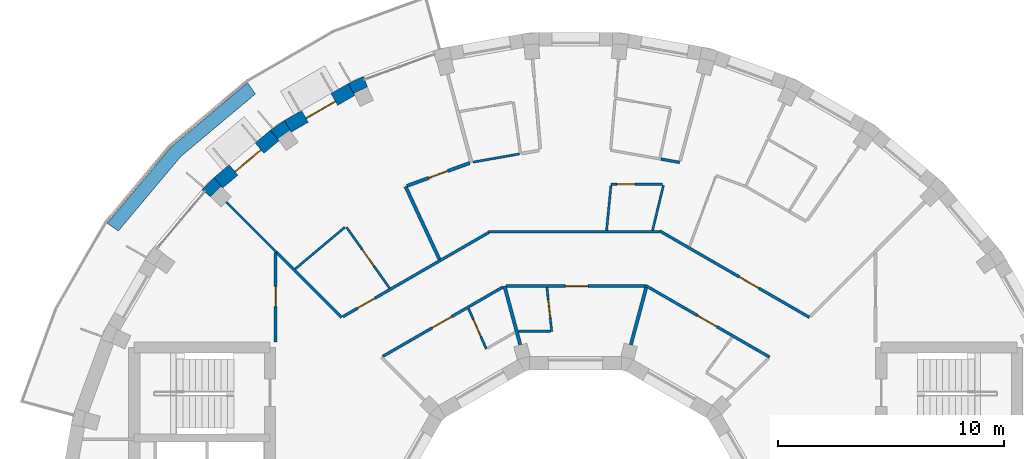
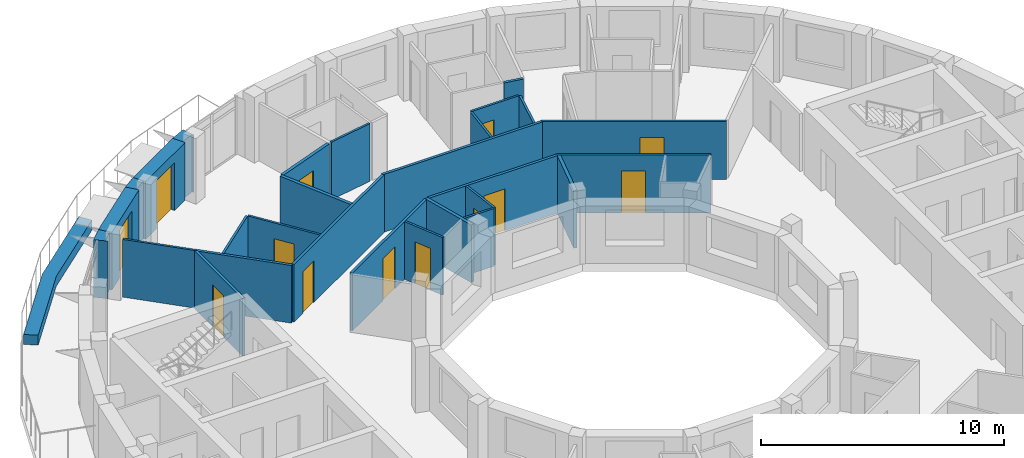
# One storey, part 9 of 12: 29 walls, 13 doors, 13 openings.
"""IFC4 building model written with IfcOpenShell, lengths in metres."""

import ifcopenshell
import ifcopenshell.guid

model = None  # the IFC model being written
_history = None  # IfcOwnerHistory: only IFC2X3 demands one
_inside = {}  # id of a spatial element -> (the spatial element, [elements in it])
_under = {}  # id of a project, library or spatial element -> (it, [spatial elements below it])
_declared = {}  # id of a project -> (the project, [libraries it declares])
_typed = {}  # id of a type object -> (the type object, [elements of that type])
_made_of = {}  # id of a material, layer set ... -> (it, [elements and type objects made of it])


def new_model(schema):
    """Start an empty IFC model of exactly this schema.

    Asked for "IFC4X3", IfcOpenShell would pick the latest addendum, in which some entities
    have other attributes; the version numbers below select the first issue.
    IFC2X3 requires an IfcOwnerHistory on every rooted entity: one is made here for all.
    """
    global model, _history
    if schema == "IFC4X3":
        model = ifcopenshell.file(schema_version=(4, 3, 0, 0))
    else:
        model = ifcopenshell.file(schema=schema)
    _inside.clear()
    _under.clear()
    _declared.clear()
    _typed.clear()
    _made_of.clear()
    _history = None
    if model.schema == "IFC2X3":
        org = make("IfcOrganization", Name="unknown")
        user = make(
            "IfcPersonAndOrganization",
            ThePerson=make("IfcPerson", FamilyName="unknown"),
            TheOrganization=org,
        )
        app = make(
            "IfcApplication",
            ApplicationDeveloper=org,
            Version="unknown",
            ApplicationFullName="unknown",
            ApplicationIdentifier="unknown",
        )
        _history = make(
            "IfcOwnerHistory",
            OwningUser=user,
            OwningApplication=app,
            ChangeAction="ADDED",
            CreationDate=0,
        )
    return model


def make(cls, **values):
    """One entity of the class cls with the attributes given. An attribute that is None is left unset."""
    return model.create_entity(
        cls, **{name: value for name, value in values.items() if value is not None}
    )


def rooted(cls, **values):
    """An entity with a GlobalId (a new one), such as an element, a storey or a relation."""
    return make(cls, GlobalId=ifcopenshell.guid.new(), OwnerHistory=_history, **values)


def si_unit(unit_type, name, prefix=None):
    """IfcSIUnit, for example si_unit("LENGTHUNIT", "METRE", prefix="MILLI")."""
    return make("IfcSIUnit", UnitType=unit_type, Prefix=prefix, Name=name)


def assignment(units):
    """IfcUnitAssignment: the units of a project."""
    return None if units is None else make("IfcUnitAssignment", Units=units)


def point(xyz):
    """IfcCartesianPoint."""
    return None if xyz is None else make("IfcCartesianPoint", Coordinates=xyz)


def direction(xyz):
    """IfcDirection."""
    return None if xyz is None else make("IfcDirection", DirectionRatios=xyz)


def frame(location, z_axis=None, x_axis=None):
    """IfcAxis2Placement3D, a coordinate frame: its origin and axes. An axis left out is left unset."""
    return make(
        "IfcAxis2Placement3D",
        Location=point(location),
        Axis=direction(z_axis),
        RefDirection=direction(x_axis),
    )


def frame_2d(location, x_axis=None):
    """IfcAxis2Placement2D, a coordinate frame in the plane: its origin and x axis."""
    return make(
        "IfcAxis2Placement2D", Location=point(location), RefDirection=direction(x_axis)
    )


def origin():
    """The frame at (0, 0, 0) with its axes left unset."""
    return frame((0.0, 0.0, 0.0))


def place(relative_to, where):
    """IfcLocalPlacement: puts the frame where relative to a parent placement (None: the world)."""
    return make(
        "IfcLocalPlacement", PlacementRelTo=relative_to, RelativePlacement=where
    )


def context(
    kind, dimensions, precision=None, world=None, true_north=None, identifier=None
):
    """IfcGeometricRepresentationContext, for example the 3D "Model" context."""
    return make(
        "IfcGeometricRepresentationContext",
        ContextIdentifier=identifier,
        ContextType=kind,
        CoordinateSpaceDimension=dimensions,
        Precision=precision,
        WorldCoordinateSystem=world,
        TrueNorth=true_north,
    )


def subcontext(parent, identifier, kind, view, scale=None):
    """IfcGeometricRepresentationSubContext, for example "Body" below "Model"."""
    return make(
        "IfcGeometricRepresentationSubContext",
        ContextIdentifier=identifier,
        ContextType=kind,
        ParentContext=parent,
        TargetScale=scale,
        TargetView=view,
    )


def project(units=None, contexts=None):
    """IfcProject with its units and contexts."""
    return rooted(
        "IfcProject",
        Name="project",
        RepresentationContexts=contexts,
        UnitsInContext=assignment(units),
    )


def spatial(cls, under=None, at=None, **own):
    """A site, building, storey or space (cls), placed at a placement, below another one or the project."""
    s = rooted(cls, ObjectPlacement=at, **own)
    if under is not None:
        _under.setdefault(under.id(), (under, []))[1].append(s)
    return s


def polyline(points):
    """IfcPolyline through the points."""
    return make("IfcPolyline", Points=[point(p) for p in points])


def profile(cls, at=None, kind="AREA", **sizes):
    """A parametric profile (cls). Its sizes go by their IFC names, for example OverallWidth=200.0."""
    return make(cls, ProfileType=kind, Position=at, **sizes)


def rectangle(**sizes):
    """IfcRectangleProfileDef."""
    return profile("IfcRectangleProfileDef", **sizes)


def outline(outer, holes=None, kind="AREA"):
    """IfcArbitraryClosedProfileDef: a profile drawn as a closed curve; with holes, ...WithVoids."""
    if holes is None:
        return make("IfcArbitraryClosedProfileDef", ProfileType=kind, OuterCurve=outer)
    return make(
        "IfcArbitraryProfileDefWithVoids",
        ProfileType=kind,
        OuterCurve=outer,
        InnerCurves=holes,
    )


def extrude(swept, where, along, depth):
    """IfcExtrudedAreaSolid: the profile swept, set in the frame where, extruded along a direction by depth."""
    return make(
        "IfcExtrudedAreaSolid",
        SweptArea=swept,
        Position=where,
        ExtrudedDirection=direction(along),
        Depth=depth,
    )


def shape(context_of_items, identifier, shape_type, items):
    """IfcShapeRepresentation: the items that make up one representation, for example the "Body"."""
    return make(
        "IfcShapeRepresentation",
        ContextOfItems=context_of_items,
        RepresentationIdentifier=identifier,
        RepresentationType=shape_type,
        Items=items,
    )


def material(Name=None, Category=None):
    """IfcMaterial."""
    return make("IfcMaterial", Name=Name, Category=Category)


def layer(
    of_material, thickness, ventilated=None, Name=None, Category=None, Priority=None
):
    """IfcMaterialLayer: one layer of a wall or slab, of a material (None: an air gap)."""
    return make(
        "IfcMaterialLayer",
        Material=of_material,
        LayerThickness=thickness,
        IsVentilated=ventilated,
        Name=Name,
        Category=Category,
        Priority=Priority,
    )


def layer_set(layers, Name=None):
    """IfcMaterialLayerSet."""
    return make("IfcMaterialLayerSet", MaterialLayers=layers, LayerSetName=Name)


def made_of(thing, what):
    """Note that an element or type object is made of a material, layer set ...; save() writes the relation."""
    if what is not None:
        _made_of.setdefault(what.id(), (what, []))[1].append(thing)
    return thing


def type_object(cls, material=None, **own):
    """A type object (cls), such as IfcWallType, which elements share."""
    return made_of(rooted(cls, **own), material)


def element(
    cls,
    number,
    at=None,
    inside=None,
    cuts=None,
    type_object=None,
    material=None,
    context=None,
    identifier="Body",
    shape_type=None,
    held_by="IfcProductDefinitionShape",
    body=None,
    shapes=None,
    **own,
):
    """One element of the class cls, such as IfcWall. Its Tag is "e" and its number.

    at: its placement. inside: the storey or other place that contains it. cuts: it is an
    opening in that element (IfcRelVoidsElement). A single representation is given by context,
    identifier, shape_type and body (its items); several are given by shapes. held_by: the class
    of the entity that holds the representations. save() writes the other relations.
    """
    e = rooted(cls, Tag="e%d" % number, ObjectPlacement=at, **own)
    if body is not None:
        shapes = [shape(context, identifier, shape_type, body)]
    if shapes is not None:
        e.Representation = make(held_by, Representations=shapes)
    if inside is not None:
        _inside.setdefault(inside.id(), (inside, []))[1].append(e)
    if cuts is not None:
        rooted(
            "IfcRelVoidsElement", RelatingBuildingElement=cuts, RelatedOpeningElement=e
        )
    if type_object is not None:
        _typed.setdefault(type_object.id(), (type_object, []))[1].append(e)
    return made_of(e, material)


def fill(opening, filler):
    """IfcRelFillsElement: the door or window that sits in an opening."""
    return rooted(
        "IfcRelFillsElement",
        RelatingOpeningElement=opening,
        RelatedBuildingElement=filler,
    )


def aggregate(whole, parts):
    """IfcRelAggregates: a whole, such as a stair, and the parts it consists of."""
    return rooted("IfcRelAggregates", RelatingObject=whole, RelatedObjects=parts)


def save(model, path):
    """Write the relations noted so far, then the file.

    IfcRelAggregates (storeys below a building ...), IfcRelContainedInSpatialStructure (elements
    in a storey), IfcRelDefinesByType, IfcRelAssociatesMaterial and IfcRelDeclares: one each for
    every whole, place, type object, material and project.
    """
    for whole, parts in _under.values():
        aggregate(whole, parts)
    for where, things in _inside.values():
        rooted(
            "IfcRelContainedInSpatialStructure",
            RelatedElements=things,
            RelatingStructure=where,
        )
    for kind, things in _typed.values():
        rooted("IfcRelDefinesByType", RelatedObjects=things, RelatingType=kind)
    for what, things in _made_of.values():
        rooted("IfcRelAssociatesMaterial", RelatedObjects=things, RelatingMaterial=what)
    for by, libraries in _declared.values():
        rooted("IfcRelDeclares", RelatingContext=by, RelatedDefinitions=libraries)
    model.write(path)


model = new_model("IFC4")

# Units and contexts
model_context = context("Model", 3, precision=1e-05, world=origin(), true_north=direction((0.0, 1.0)))
body_context = subcontext(model_context, "Body", "Model", "MODEL_VIEW")
ifc_project = project(units=[si_unit("LENGTHUNIT", "METRE"), si_unit("AREAUNIT", "SQUARE_METRE"), si_unit("VOLUMEUNIT", "CUBIC_METRE"), si_unit("PLANEANGLEUNIT", "RADIAN"), si_unit("MASSUNIT", "GRAM", prefix="KILO")], contexts=[model_context])

# Site, building, storey
site_placement = place(None, origin())
site = spatial("IfcSite", under=ifc_project, at=site_placement, CompositionType="ELEMENT")
building_placement = place(site_placement, origin())
building = spatial("IfcBuilding", under=site, at=building_placement, Name="Saqina Gate Tower", CompositionType="ELEMENT")
storey_placement = place(building_placement, frame((0.0, 0.0, 233.0)))
storey = spatial("IfcBuildingStorey", under=building, at=storey_placement, Name="L66", CompositionType="ELEMENT", Elevation=233.0)

# Walls
ifc_material_1 = material(Name="Brick masonry (buff)", Category="masonry")
wall_type_1 = type_object("IfcWallType", Name="BRICK PIER COPING BUFF", PredefinedType="SOLIDWALL", material=ifc_material_1)
wall_1_placement = place(storey_placement, origin())
element("IfcWall", 1, at=wall_1_placement, inside=storey, type_object=wall_type_1, Name="Pier cap L66 column 12", PredefinedType="SOLIDWALL", context=body_context, shape_type="SweptSolid", body=[
    extrude(outline(polyline([(-9.3642578125, 20.974609375), (-10.048095703125, 20.65576171875), (-9.748291015625, 20.135986328125), (-9.79296875, 20.23193359375), (-9.203857421875, 20.506591796875), (-9.1591796875, 20.410888671875), (-9.3642578125, 20.974609375)])), origin(), (0.0, 0.0, 1.0), 2.89990234375),
])
wall_2_placement = place(storey_placement, origin())
element("IfcWall", 2, at=wall_2_placement, inside=storey, type_object=wall_type_1, Name="Pier cap L66 column 13", PredefinedType="SOLIDWALL", context=body_context, shape_type="SweptSolid", body=[
    extrude(outline(polyline([(-12.8642578125, 19.02978515625), (-13.482421875, 18.59716796875), (-13.0966796875, 18.137451171875), (-13.157470703125, 18.22412109375), (-12.625, 18.596923828125), (-12.564208984375, 18.51025390625), (-12.8642578125, 19.02978515625)])), origin(), (0.0, 0.0, 1.0), 2.89990234375),
])
wall_3_placement = place(storey_placement, origin())
element("IfcWall", 3, at=wall_3_placement, inside=storey, type_object=wall_type_1, Name="Pier cap L66 column 14", PredefinedType="SOLIDWALL", context=body_context, shape_type="SweptSolid", body=[
    extrude(outline(polyline([(-16.5068359375, 15.973388671875), (-16.04736328125, 15.587646484375), (-16.1220703125, 15.662353515625), (-15.662353515625, 16.1220703125), (-15.587646484375, 16.04736328125), (-15.973388671875, 16.5068359375), (-16.5068359375, 15.973388671875)])), origin(), (0.0, 0.0, 1.0), 2.89990234375),
])

# Wall, opening, door
ifc_material_2 = material(Name="Brick masonry (buff)", Category="masonry")
ifc_layer_1 = layer(ifc_material_2, 0.60009765625)
ifc_layer_set_1 = layer_set([ifc_layer_1], Name="FW-BRICK-BUFF")
wall_type_2 = type_object("IfcWallType", Name="FW-BRICK-BUFF", PredefinedType="SOLIDWALL", material=ifc_layer_set_1)
wall_4_placement = place(storey_placement, frame((-9.898193359375, 20.39599609375, 0.0), z_axis=(0.0, 0.0, 1.0), x_axis=(-0.866016800201, -0.500014901547, 0.0)))
wall_4 = element("IfcWall", 4, at=wall_4_placement, inside=storey, type_object=wall_type_2, Name="Facade wall L66 facet 12", PredefinedType="SOLIDWALL", context=body_context, shape_type="SweptSolid", body=[
    extrude(rectangle(XDim=3.251953125, YDim=0.60009765625, at=frame_2d((1.6259765625, 0.0))), origin(), (0.0, 0.0, 1.0), 2.89990234375),
])
opening_1_placement = place(wall_4_placement, frame((0.875732421875, 0.0, 0.0)))
opening_1 = element("IfcOpeningElement", 5, at=opening_1_placement, cuts=wall_4, Name="Opening G19-D80", PredefinedType="OPENING", context=body_context, shape_type="SweptSolid", body=[
    extrude(rectangle(XDim=1.5, YDim=2.39990234375, at=frame_2d((0.75, 1.199951171875))), frame((0.0, 0.31201171875, 0.0), z_axis=(0.0, -1.0, 0.0), x_axis=(1.0, 0.0, 0.0)), (0.0, 0.0, 1.0), 0.6240234375),
])
ifc_material_3 = material(Name="Aluminium glazing", Category="aluminium")
door_type_1 = type_object("IfcDoorType", Name="GD-D", OperationType="DOUBLE_DOOR_SINGLE_SWING", PredefinedType="DOOR", material=ifc_material_3)
door_1_placement = place(opening_1_placement, origin())
door_1 = element("IfcDoor", 6, at=door_1_placement, inside=storey, type_object=door_type_1, Name="Terrace door L66 facet 12", OperationType="DOUBLE_DOOR_SINGLE_SWING", OverallHeight=2.39990234375, OverallWidth=1.5, PredefinedType="DOOR", context=body_context, shape_type="SweptSolid", body=[
    extrude(rectangle(XDim=1.5, YDim=2.39990234375, at=frame_2d((0.75, 1.199951171875))), frame((0.0, 0.125, 0.0), z_axis=(0.0, -1.0, 0.0), x_axis=(1.0, 0.0, 0.0)), (0.0, 0.0, 1.0), 0.050048828125),
])
fill(opening_1, door_1)

wall_5_placement = place(storey_placement, frame((-13.28955078125, 18.3671875, 0.0), z_axis=(0.0, 0.0, 1.0), x_axis=(-0.766056773982, -0.64277291405, 0.0)))
wall_5 = element("IfcWall", 7, at=wall_5_placement, inside=storey, type_object=wall_type_2, Name="Facade wall L66 facet 13", PredefinedType="SOLIDWALL", context=body_context, shape_type="SweptSolid", body=[
    extrude(rectangle(XDim=3.251708984375, YDim=0.60009765625, at=frame_2d((1.6259765625, 0.0))), origin(), (0.0, 0.0, 1.0), 2.89990234375),
])
opening_2_placement = place(wall_5_placement, frame((0.875732421875, 0.0, 0.0)))
opening_2 = element("IfcOpeningElement", 8, at=opening_2_placement, cuts=wall_5, Name="Opening G19-D81", PredefinedType="OPENING", context=body_context, shape_type="SweptSolid", body=[
    extrude(rectangle(XDim=1.5, YDim=2.39990234375, at=frame_2d((0.75, 1.199951171875))), frame((0.0, 0.31201171875, 0.0), z_axis=(0.0, -1.0, 0.0), x_axis=(1.0, 0.0, 0.0)), (0.0, 0.0, 1.0), 0.6240234375),
])
door_2_placement = place(opening_2_placement, origin())
door_2 = element("IfcDoor", 9, at=door_2_placement, inside=storey, type_object=door_type_1, Name="Terrace door L66 facet 13", OperationType="DOUBLE_DOOR_SINGLE_SWING", OverallHeight=2.39990234375, OverallWidth=1.5, PredefinedType="DOOR", context=body_context, shape_type="SweptSolid", body=[
    extrude(rectangle(XDim=1.5, YDim=2.39990234375, at=frame_2d((0.75, 1.199951171875))), frame((0.0, 0.125, 0.0), z_axis=(0.0, -1.0, 0.0), x_axis=(1.0, 0.0, 0.0)), (0.0, 0.0, 1.0), 0.050048828125),
])
fill(opening_2, door_2)

ifc_material_4 = material(Name="Gypsum board on steel studs, 100 mm", Category="steel")
ifc_layer_2 = layer(ifc_material_4, 0.10009765625)
ifc_layer_set_2 = layer_set([ifc_layer_2], Name="PARTITION 100")
wall_type_3 = type_object("IfcWallType", Name="PARTITION 100", PredefinedType="PARTITIONING", material=ifc_layer_set_2)
wall_6_placement = place(storey_placement, frame((-1.26416015625, 11.64794921875, 0.0), z_axis=(0.0, 0.0, 1.0), x_axis=(0.107833146159, -0.99416900605, 0.0)))
wall_6 = element("IfcWall", 10, at=wall_6_placement, inside=storey, type_object=wall_type_3, Name="PARTITION PW3-01", PredefinedType="PARTITIONING", context=body_context, shape_type="SweptSolid", body=[
    extrude(rectangle(XDim=1.949462890625, YDim=0.10009765625, at=frame_2d((0.974609375, 0.0))), origin(), (0.0, 0.0, 1.0), 2.89990234375),
])
opening_3_placement = place(wall_6_placement, frame((0.54345703125, 0.0, 0.0)))
opening_3 = element("IfcOpeningElement", 11, at=opening_3_placement, cuts=wall_6, Name="Opening G19-D14", PredefinedType="OPENING", context=body_context, shape_type="SweptSolid", body=[
    extrude(rectangle(XDim=0.800048828125, YDim=2.10009765625, at=frame_2d((0.39990234375, 1.050048828125))), frame((0.0, 0.06201171875, 0.0), z_axis=(0.0, -1.0, 0.0), x_axis=(1.0, 0.0, 0.0)), (0.0, 0.0, 1.0), 0.1240234375),
])
ifc_material_5 = material(Name="Timber door leaf, 800 mm", Category="wood")
door_type_2 = type_object("IfcDoorType", Name="DOOR 800 TIMBER", OperationType="SINGLE_SWING_LEFT", PredefinedType="DOOR", material=ifc_material_5)
door_3_placement = place(opening_3_placement, origin())
door_3 = element("IfcDoor", 12, at=door_3_placement, inside=storey, type_object=door_type_2, Name="DOOR G19-D14", OperationType="SINGLE_SWING_LEFT", OverallHeight=2.10009765625, OverallWidth=0.800048828125, PredefinedType="DOOR", context=body_context, shape_type="SweptSolid", body=[
    extrude(rectangle(XDim=0.800048828125, YDim=2.10009765625, at=frame_2d((0.39990234375, 1.050048828125))), frame((0.0, 0.02490234375, 0.0), z_axis=(0.0, -1.0, 0.0), x_axis=(1.0, 0.0, 0.0)), (0.0, 0.0, 1.0), 0.050048828125),
])
fill(opening_3, door_3)

wall_7_placement = place(storey_placement, frame((-4.729736328125, 10.71875, 0.0), z_axis=(0.0, 0.0, 1.0), x_axis=(0.403695730551, -0.914893303689, 0.0)))
wall_7 = element("IfcWall", 13, at=wall_7_placement, inside=storey, type_object=wall_type_3, Name="PARTITION PW3-05", PredefinedType="PARTITIONING", context=body_context, shape_type="SweptSolid", body=[
    extrude(rectangle(XDim=1.948486328125, YDim=0.10009765625, at=frame_2d((0.97412109375, 0.0))), origin(), (0.0, 0.0, 1.0), 2.89990234375),
])
opening_4_placement = place(wall_7_placement, frame((0.543212890625, 0.0, 0.0)))
opening_4 = element("IfcOpeningElement", 14, at=opening_4_placement, cuts=wall_7, Name="Opening G19-D17", PredefinedType="OPENING", context=body_context, shape_type="SweptSolid", body=[
    extrude(rectangle(XDim=0.800048828125, YDim=2.10009765625, at=frame_2d((0.39990234375, 1.050048828125))), frame((0.0, 0.06201171875, 0.0), z_axis=(0.0, -1.0, 0.0), x_axis=(1.0, 0.0, 0.0)), (0.0, 0.0, 1.0), 0.1240234375),
])
door_4_placement = place(opening_4_placement, frame((0.800048828125, 0.0, 0.0), z_axis=(0.0, 0.0, 1.0), x_axis=(-1.0, 0.0, 0.0)))
door_4 = element("IfcDoor", 15, at=door_4_placement, inside=storey, type_object=door_type_2, Name="DOOR G19-D17", OperationType="SINGLE_SWING_RIGHT", OverallHeight=2.10009765625, OverallWidth=0.800048828125, PredefinedType="DOOR", context=body_context, shape_type="SweptSolid", body=[
    extrude(rectangle(XDim=0.800048828125, YDim=2.10009765625, at=frame_2d((0.39990234375, 1.050048828125))), frame((0.0, 0.02490234375, 0.0), z_axis=(0.0, -1.0, 0.0), x_axis=(1.0, 0.0, 0.0)), (0.0, 0.0, 1.0), 0.050048828125),
])
fill(opening_4, door_4)

wall_8_placement = place(storey_placement, frame((-10.11572265625, 14.30517578125, 0.0), z_axis=(0.0, 0.0, 1.0), x_axis=(0.577184589489, -0.816613708957, 0.0)))
wall_8 = element("IfcWall", 16, at=wall_8_placement, inside=storey, type_object=wall_type_3, Name="PARTITION PW3-10", PredefinedType="PARTITIONING", context=body_context, shape_type="SweptSolid", body=[
    extrude(rectangle(XDim=3.287353515625, YDim=0.10009765625, at=frame_2d((1.6435546875, 0.0))), origin(), (0.0, 0.0, 1.0), 2.89990234375),
])
opening_5_placement = place(wall_8_placement, frame((1.199951171875, 0.0, 0.0)))
opening_5 = element("IfcOpeningElement", 17, at=opening_5_placement, cuts=wall_8, Name="Opening G19-D19", PredefinedType="OPENING", context=body_context, shape_type="SweptSolid", body=[
    extrude(rectangle(XDim=0.89990234375, YDim=2.10009765625, at=frame_2d((0.449951171875, 1.050048828125))), frame((0.0, 0.06201171875, 0.0), z_axis=(0.0, -1.0, 0.0), x_axis=(1.0, 0.0, 0.0)), (0.0, 0.0, 1.0), 0.1240234375),
])
ifc_material_6 = material(Name="Timber door leaf, 900 mm", Category="wood")
door_type_3 = type_object("IfcDoorType", Name="DOOR 900 TIMBER", OperationType="SINGLE_SWING_LEFT", PredefinedType="DOOR", material=ifc_material_6)
door_5_placement = place(opening_5_placement, origin())
door_5 = element("IfcDoor", 18, at=door_5_placement, inside=storey, type_object=door_type_3, Name="DOOR G19-D19", OperationType="SINGLE_SWING_RIGHT", OverallHeight=2.10009765625, OverallWidth=0.89990234375, PredefinedType="DOOR", context=body_context, shape_type="SweptSolid", body=[
    extrude(rectangle(XDim=0.89990234375, YDim=2.10009765625, at=frame_2d((0.449951171875, 1.050048828125))), frame((0.0, 0.02490234375, 0.0), z_axis=(0.0, -1.0, 0.0), x_axis=(1.0, 0.0, 0.0)), (0.0, 0.0, 1.0), 0.050048828125),
])
fill(opening_5, door_5)

# Walls
wall_9_placement = place(storey_placement, frame((-15.425537109375, 15.425537109375, 0.0), z_axis=(0.0, 0.0, 1.0), x_axis=(0.707106781187, -0.707106781187, 0.0)))
element("IfcWall", 19, at=wall_9_placement, inside=storey, type_object=wall_type_3, Name="PARTITION PW3-12", PredefinedType="PARTITIONING", context=body_context, shape_type="SweptSolid", body=[
    extrude(rectangle(XDim=3.126708984375, YDim=0.10009765625, at=frame_2d((1.5634765625, 0.0))), origin(), (0.0, 0.0, 1.0), 2.89990234375),
])
wall_10_placement = place(storey_placement, frame((-2.527099609375, 9.7099609375, 0.0), z_axis=(0.0, 0.0, 1.0), x_axis=(1.0, 0.0, 0.0)))
element("IfcWall", 20, at=wall_10_placement, inside=storey, type_object=wall_type_3, Name="PARTITION PW3-27", PredefinedType="PARTITIONING", context=body_context, shape_type="SweptSolid", body=[
    extrude(rectangle(XDim=1.423095703125, YDim=0.10009765625, at=frame_2d((0.71142578125, 0.0))), origin(), (0.0, 0.0, 1.0), 2.89990234375),
])

# Wall, opening, door
wall_11_placement = place(storey_placement, frame((1.571044921875, 16.2099609375, 0.0), z_axis=(0.0, 0.0, 1.0), x_axis=(1.0, 0.0, 0.0)))
wall_11 = element("IfcWall", 21, at=wall_11_placement, inside=storey, type_object=wall_type_3, Name="PARTITION PW3-28", PredefinedType="PARTITIONING", context=body_context, shape_type="SweptSolid", body=[
    extrude(rectangle(XDim=2.26806640625, YDim=0.10009765625, at=frame_2d((1.134033203125, 0.0))), origin(), (0.0, 0.0, 1.0), 2.89990234375),
])
opening_6_placement = place(wall_11_placement, frame((0.259033203125, 0.0, 0.0)))
opening_6 = element("IfcOpeningElement", 22, at=opening_6_placement, cuts=wall_11, Name="Opening G19-D10", PredefinedType="OPENING", context=body_context, shape_type="SweptSolid", body=[
    extrude(rectangle(XDim=0.800048828125, YDim=2.10009765625, at=frame_2d((0.39990234375, 1.050048828125))), frame((0.0, 0.06201171875, 0.0), z_axis=(0.0, -1.0, 0.0), x_axis=(1.0, 0.0, 0.0)), (0.0, 0.0, 1.0), 0.1240234375),
])
door_6_placement = place(opening_6_placement, origin())
door_6 = element("IfcDoor", 23, at=door_6_placement, inside=storey, type_object=door_type_2, Name="DOOR G19-D10", OperationType="SINGLE_SWING_LEFT", OverallHeight=2.10009765625, OverallWidth=0.800048828125, PredefinedType="DOOR", context=body_context, shape_type="SweptSolid", body=[
    extrude(rectangle(XDim=0.800048828125, YDim=2.10009765625, at=frame_2d((0.39990234375, 1.050048828125))), frame((0.0, 0.02490234375, 0.0), z_axis=(0.0, -1.0, 0.0), x_axis=(1.0, 0.0, 0.0)), (0.0, 0.0, 1.0), 0.050048828125),
])
fill(opening_6, door_6)

# Walls
wall_12_placement = place(storey_placement, frame((-4.528076171875, 17.18701171875, 0.0), z_axis=(0.0, 0.0, 1.0), x_axis=(0.984788286148, 0.173758543574, 0.0)))
element("IfcWall", 24, at=wall_12_placement, inside=storey, type_object=wall_type_3, Name="PARTITION PW3-29", PredefinedType="PARTITIONING", context=body_context, shape_type="SweptSolid", body=[
    extrude(rectangle(XDim=2.07958984375, YDim=0.10009765625, at=frame_2d((1.039794921875, 0.0))), origin(), (0.0, 0.0, 1.0), 2.89990234375),
])
wall_13_placement = place(storey_placement, frame((-12.382080078125, 12.47021484375, 0.0), z_axis=(0.0, 0.0, 1.0), x_axis=(0.765817138438, 0.643058403627, 0.0)))
element("IfcWall", 25, at=wall_13_placement, inside=storey, type_object=wall_type_3, Name="PARTITION PW3-38", PredefinedType="PARTITIONING", context=body_context, shape_type="SweptSolid", body=[
    extrude(rectangle(XDim=2.869873046875, YDim=0.10009765625, at=frame_2d((1.43505859375, 0.0))), origin(), (0.0, 0.0, 1.0), 2.89990234375),
])
wall_14_placement = place(storey_placement, frame((3.402587890625, 14.170654296875, 0.0), z_axis=(0.0, 0.0, 1.0), x_axis=(0.233377462785, 0.972386219495, 0.0)))
element("IfcWall", 26, at=wall_14_placement, inside=storey, type_object=wall_type_3, Name="PARTITION PW3-49", PredefinedType="PARTITIONING", context=body_context, shape_type="SweptSolid", body=[
    extrude(rectangle(XDim=2.04736328125, YDim=0.10009765625, at=frame_2d((1.023681640625, 0.0))), origin(), (0.0, 0.0, 1.0), 2.89990234375),
])
wall_15_placement = place(storey_placement, frame((1.3720703125, 14.172119140625, 0.0), z_axis=(0.0, 0.0, 1.0), x_axis=(0.096199186447, 0.99536210322, 0.0)))
element("IfcWall", 27, at=wall_15_placement, inside=storey, type_object=wall_type_3, Name="PARTITION PW3-54", PredefinedType="PARTITIONING", context=body_context, shape_type="SweptSolid", body=[
    extrude(rectangle(XDim=1.997314453125, YDim=0.10009765625, at=frame_2d((0.99853515625, 0.0))), origin(), (0.0, 0.0, 1.0), 2.89990234375),
])
ifc_material_7 = material(Name="Gypsum board on steel studs, 125 mm, fire rated", Category="steel")
ifc_layer_3 = layer(ifc_material_7, 0.125)
ifc_layer_set_3 = layer_set([ifc_layer_3], Name="PARTITION EI 30 125")
wall_type_4 = type_object("IfcWallType", Name="PARTITION EI 30 125", PredefinedType="PARTITIONING", material=ifc_layer_set_3)
wall_16_placement = place(storey_placement, frame((-13.214599609375, 13.214599609375, 0.0), z_axis=(0.0, 0.0, 1.0), x_axis=(0.707106781187, -0.707106781187, 0.0)))
element("IfcWall", 28, at=wall_16_placement, inside=storey, type_object=wall_type_4, Name="PARTITION PW1-04", PredefinedType="PARTITIONING", context=body_context, shape_type="SweptSolid", body=[
    extrude(rectangle(XDim=4.080810546875, YDim=0.125, at=frame_2d((2.04052734375, 0.0))), origin(), (0.0, 0.0, 1.0), 2.89990234375),
])

# Wall, opening, door
wall_17_placement = place(storey_placement, frame((3.075439453125, 11.74609375, 0.0), z_axis=(0.0, 0.0, 1.0), x_axis=(0.865983161714, -0.500073158277, 0.0)))
wall_17 = element("IfcWall", 29, at=wall_17_placement, inside=storey, type_object=wall_type_4, Name="PARTITION PW1-11", PredefinedType="PARTITIONING", context=body_context, shape_type="SweptSolid", body=[
    extrude(rectangle(XDim=6.34716796875, YDim=0.125, at=frame_2d((3.173583984375, 0.0))), origin(), (0.0, 0.0, 1.0), 2.89990234375),
])
opening_7_placement = place(wall_17_placement, frame((2.65869140625, 0.0, 0.0)))
opening_7 = element("IfcOpeningElement", 30, at=opening_7_placement, cuts=wall_17, Name="Opening G19-D05", PredefinedType="OPENING", context=body_context, shape_type="SweptSolid", body=[
    extrude(rectangle(XDim=1.0, YDim=2.10009765625, at=frame_2d((0.5, 1.050048828125))), frame((0.0, 0.074462890625, 0.0), z_axis=(0.0, -1.0, 0.0), x_axis=(1.0, 0.0, 0.0)), (0.0, 0.0, 1.0), 0.14892578125),
])
ifc_material_8 = material(Name="Fire door leaf EI 30, 1000 mm")
door_type_4 = type_object("IfcDoorType", Name="DOOR 1000 EI 30", OperationType="SINGLE_SWING_LEFT", PredefinedType="DOOR", material=ifc_material_8)
door_7_placement = place(opening_7_placement, frame((1.0, 0.0, 0.0), z_axis=(0.0, 0.0, 1.0), x_axis=(-1.0, 0.0, 0.0)))
door_7 = element("IfcDoor", 31, at=door_7_placement, inside=storey, type_object=door_type_4, Name="DOOR G19-D05", OperationType="SINGLE_SWING_RIGHT", OverallHeight=2.10009765625, OverallWidth=1.0, PredefinedType="DOOR", context=body_context, shape_type="SweptSolid", body=[
    extrude(rectangle(XDim=1.0, YDim=2.10009765625, at=frame_2d((0.5, 1.050048828125))), frame((0.0, 0.02490234375, 0.0), z_axis=(0.0, -1.0, 0.0), x_axis=(1.0, 0.0, 0.0)), (0.0, 0.0, 1.0), 0.050048828125),
])
fill(opening_7, door_7)

wall_18_placement = place(storey_placement, frame((3.717529296875, 14.146728515625, 0.0), z_axis=(0.0, 0.0, 1.0), x_axis=(0.866000791713, -0.500042626935, 0.0)))
wall_18 = element("IfcWall", 32, at=wall_18_placement, inside=storey, type_object=wall_type_4, Name="PARTITION PW1-12", PredefinedType="PARTITIONING", context=body_context, shape_type="SweptSolid", body=[
    extrude(rectangle(XDim=7.634521484375, YDim=0.125, at=frame_2d((3.8173828125, 0.0))), origin(), (0.0, 0.0, 1.0), 2.89990234375),
])
opening_8_placement = place(wall_18_placement, frame((4.064208984375, 0.0, 0.0)))
opening_8 = element("IfcOpeningElement", 33, at=opening_8_placement, cuts=wall_18, Name="Opening G19-D04", PredefinedType="OPENING", context=body_context, shape_type="SweptSolid", body=[
    extrude(rectangle(XDim=1.0, YDim=2.10009765625, at=frame_2d((0.5, 1.050048828125))), frame((0.0, 0.074462890625, 0.0), z_axis=(0.0, -1.0, 0.0), x_axis=(1.0, 0.0, 0.0)), (0.0, 0.0, 1.0), 0.14892578125),
])
door_8_placement = place(opening_8_placement, origin())
door_8 = element("IfcDoor", 34, at=door_8_placement, inside=storey, type_object=door_type_4, Name="DOOR G19-D04", OperationType="SINGLE_SWING_RIGHT", OverallHeight=2.10009765625, OverallWidth=1.0, PredefinedType="DOOR", context=body_context, shape_type="SweptSolid", body=[
    extrude(rectangle(XDim=1.0, YDim=2.10009765625, at=frame_2d((0.5, 1.050048828125))), frame((0.0, 0.02490234375, 0.0), z_axis=(0.0, -1.0, 0.0), x_axis=(1.0, 0.0, 0.0)), (0.0, 0.0, 1.0), 0.050048828125),
])
fill(opening_8, door_8)

# Wall
wall_19_placement = place(storey_placement, frame((3.769287109375, 17.3212890625, 0.0), z_axis=(0.0, 0.0, 1.0), x_axis=(0.984637698915, -0.174609856179, 0.0)))
element("IfcWall", 35, at=wall_19_placement, inside=storey, type_object=wall_type_4, Name="PARTITION PW1-14", PredefinedType="PARTITIONING", context=body_context, shape_type="SweptSolid", body=[
    extrude(rectangle(XDim=0.844482421875, YDim=0.125, at=frame_2d((0.42236328125, 0.0))), origin(), (0.0, 0.0, 1.0), 2.89990234375),
])

# Wall, opening, door
wall_20_placement = place(storey_placement, frame((-3.06298828125, 11.7099609375, 0.0), z_axis=(0.0, 0.0, 1.0), x_axis=(1.0, 0.0, 0.0)))
wall_20 = element("IfcWall", 36, at=wall_20_placement, inside=storey, type_object=wall_type_4, Name="PARTITION PW1-19", PredefinedType="PARTITIONING", context=body_context, shape_type="SweptSolid", body=[
    extrude(rectangle(XDim=6.138427734375, YDim=0.125, at=frame_2d((3.0693359375, 0.0))), origin(), (0.0, 0.0, 1.0), 2.89990234375),
])
opening_9_placement = place(wall_20_placement, frame((2.613525390625, 0.0, 0.0)))
opening_9 = element("IfcOpeningElement", 37, at=opening_9_placement, cuts=wall_20, Name="Opening G19-D12", PredefinedType="OPENING", context=body_context, shape_type="SweptSolid", body=[
    extrude(rectangle(XDim=1.0, YDim=2.10009765625, at=frame_2d((0.5, 1.050048828125))), frame((0.0, 0.074462890625, 0.0), z_axis=(0.0, -1.0, 0.0), x_axis=(1.0, 0.0, 0.0)), (0.0, 0.0, 1.0), 0.14892578125),
])
door_9_placement = place(opening_9_placement, frame((1.0, 0.0, 0.0), z_axis=(0.0, 0.0, 1.0), x_axis=(-1.0, 0.0, 0.0)))
door_9 = element("IfcDoor", 38, at=door_9_placement, inside=storey, type_object=door_type_4, Name="DOOR G19-D12", OperationType="SINGLE_SWING_LEFT", OverallHeight=2.10009765625, OverallWidth=1.0, PredefinedType="DOOR", context=body_context, shape_type="SweptSolid", body=[
    extrude(rectangle(XDim=1.0, YDim=2.10009765625, at=frame_2d((0.5, 1.050048828125))), frame((0.0, 0.02490234375, 0.0), z_axis=(0.0, -1.0, 0.0), x_axis=(1.0, 0.0, 0.0)), (0.0, 0.0, 1.0), 0.050048828125),
])
fill(opening_9, door_9)

# Wall
wall_21_placement = place(storey_placement, frame((-3.853271484375, 14.110107421875, 0.0), z_axis=(0.0, 0.0, 1.0), x_axis=(1.0, 0.0, 0.0)))
element("IfcWall", 39, at=wall_21_placement, inside=storey, type_object=wall_type_4, Name="PARTITION PW1-20", PredefinedType="PARTITIONING", context=body_context, shape_type="SweptSolid", body=[
    extrude(rectangle(XDim=7.57080078125, YDim=0.125, at=frame_2d((3.785400390625, 0.0))), origin(), (0.0, 0.0, 1.0), 2.89990234375),
])

# Wall, opening, door
wall_22_placement = place(storey_placement, frame((-8.517822265625, 8.603271484375, 0.0), z_axis=(0.0, 0.0, 1.0), x_axis=(0.865972267571, 0.50009202333, 0.0)))
wall_22 = element("IfcWall", 40, at=wall_22_placement, inside=storey, type_object=wall_type_4, Name="PARTITION PW1-27", PredefinedType="PARTITIONING", context=body_context, shape_type="SweptSolid", body=[
    extrude(rectangle(XDim=6.137451171875, YDim=0.125, at=frame_2d((3.06884765625, 0.0))), origin(), (0.0, 0.0, 1.0), 2.89990234375),
])
opening_10_placement = place(wall_22_placement, frame((2.524169921875, 0.0, 0.0)))
opening_10 = element("IfcOpeningElement", 41, at=opening_10_placement, cuts=wall_22, Name="Opening G19-D18", PredefinedType="OPENING", context=body_context, shape_type="SweptSolid", body=[
    extrude(rectangle(XDim=1.0, YDim=2.10009765625, at=frame_2d((0.5, 1.050048828125))), frame((0.0, 0.074462890625, 0.0), z_axis=(0.0, -1.0, 0.0), x_axis=(1.0, 0.0, 0.0)), (0.0, 0.0, 1.0), 0.14892578125),
])
door_10_placement = place(opening_10_placement, frame((1.0, 0.0, 0.0), z_axis=(0.0, 0.0, 1.0), x_axis=(-1.0, 0.0, 0.0)))
door_10 = element("IfcDoor", 42, at=door_10_placement, inside=storey, type_object=door_type_4, Name="DOOR G19-D18", OperationType="SINGLE_SWING_RIGHT", OverallHeight=2.10009765625, OverallWidth=1.0, PredefinedType="DOOR", context=body_context, shape_type="SweptSolid", body=[
    extrude(rectangle(XDim=1.0, YDim=2.10009765625, at=frame_2d((0.5, 1.050048828125))), frame((0.0, 0.02490234375, 0.0), z_axis=(0.0, -1.0, 0.0), x_axis=(1.0, 0.0, 0.0)), (0.0, 0.0, 1.0), 0.050048828125),
])
fill(opening_10, door_10)

wall_23_placement = place(storey_placement, frame((-10.27490234375, 10.3603515625, 0.0), z_axis=(0.0, 0.0, 1.0), x_axis=(0.865993671729, 0.500054957505, 0.0)))
wall_23 = element("IfcWall", 43, at=wall_23_placement, inside=storey, type_object=wall_type_4, Name="PARTITION PW1-28", PredefinedType="PARTITIONING", context=body_context, shape_type="SweptSolid", body=[
    extrude(rectangle(XDim=7.436279296875, YDim=0.125, at=frame_2d((3.71826171875, 0.0))), origin(), (0.0, 0.0, 1.0), 2.89990234375),
])
opening_11_placement = place(wall_23_placement, frame((0.7275390625, 0.0, 0.0)))
opening_11 = element("IfcOpeningElement", 44, at=opening_11_placement, cuts=wall_23, Name="Opening G19-D20", PredefinedType="OPENING", context=body_context, shape_type="SweptSolid", body=[
    extrude(rectangle(XDim=0.89990234375, YDim=2.10009765625, at=frame_2d((0.449951171875, 1.050048828125))), frame((0.0, 0.074462890625, 0.0), z_axis=(0.0, -1.0, 0.0), x_axis=(1.0, 0.0, 0.0)), (0.0, 0.0, 1.0), 0.14892578125),
])
ifc_material_9 = material(Name="Fire door leaf EI 30, 900 mm")
door_type_5 = type_object("IfcDoorType", Name="DOOR 900 EI 30", OperationType="SINGLE_SWING_LEFT", PredefinedType="DOOR", material=ifc_material_9)
door_11_placement = place(opening_11_placement, origin())
door_11 = element("IfcDoor", 45, at=door_11_placement, inside=storey, type_object=door_type_5, Name="DOOR G19-D20", OperationType="SINGLE_SWING_LEFT", OverallHeight=2.10009765625, OverallWidth=0.89990234375, PredefinedType="DOOR", context=body_context, shape_type="SweptSolid", body=[
    extrude(rectangle(XDim=0.89990234375, YDim=2.10009765625, at=frame_2d((0.449951171875, 1.050048828125))), frame((0.0, 0.02490234375, 0.0), z_axis=(0.0, -1.0, 0.0), x_axis=(1.0, 0.0, 0.0)), (0.0, 0.0, 1.0), 0.050048828125),
])
fill(opening_11, door_11)

wall_24_placement = place(storey_placement, frame((-13.25, 9.25, 0.0), z_axis=(0.0, 0.0, 1.0), x_axis=(0.0, 1.0, 0.0)))
wall_24 = element("IfcWall", 46, at=wall_24_placement, inside=storey, type_object=wall_type_4, Name="PARTITION PW1-43", PredefinedType="PARTITIONING", context=body_context, shape_type="SweptSolid", body=[
    extrude(rectangle(XDim=3.9375, YDim=0.125, at=frame_2d((1.96875, 0.0))), origin(), (0.0, 0.0, 1.0), 2.89990234375),
])
opening_12_placement = place(wall_24_placement, frame((1.550048828125, 0.0, 0.0)))
opening_12 = element("IfcOpeningElement", 47, at=opening_12_placement, cuts=wall_24, Name="Opening G19-D21", PredefinedType="OPENING", context=body_context, shape_type="SweptSolid", body=[
    extrude(rectangle(XDim=0.89990234375, YDim=2.10009765625, at=frame_2d((0.449951171875, 1.050048828125))), frame((0.0, 0.074462890625, 0.0), z_axis=(0.0, -1.0, 0.0), x_axis=(1.0, 0.0, 0.0)), (0.0, 0.0, 1.0), 0.14892578125),
])
door_12_placement = place(opening_12_placement, origin())
door_12 = element("IfcDoor", 48, at=door_12_placement, inside=storey, type_object=door_type_5, Name="DOOR G19-D21", OperationType="SINGLE_SWING_RIGHT", OverallHeight=2.10009765625, OverallWidth=0.89990234375, PredefinedType="DOOR", context=body_context, shape_type="SweptSolid", body=[
    extrude(rectangle(XDim=0.89990234375, YDim=2.10009765625, at=frame_2d((0.449951171875, 1.050048828125))), frame((0.0, 0.02490234375, 0.0), z_axis=(0.0, -1.0, 0.0), x_axis=(1.0, 0.0, 0.0)), (0.0, 0.0, 1.0), 0.050048828125),
])
fill(opening_12, door_12)

# Walls
ifc_material_10 = material(Name="Gypsum board on steel studs, 150 mm, fire rated", Category="steel")
ifc_layer_4 = layer(ifc_material_10, 0.14990234375)
ifc_layer_set_4 = layer_set([ifc_layer_4], Name="PARTITION EI 60 150")
wall_type_5 = type_object("IfcWallType", Name="PARTITION EI 60 150", PredefinedType="PARTITIONING", material=ifc_layer_set_4)
wall_25_placement = place(storey_placement, frame((-3.137939453125, 11.7099609375, 0.0), z_axis=(0.0, 0.0, 1.0), x_axis=(0.258807397729, -0.965928947118, 0.0)))
element("IfcWall", 49, at=wall_25_placement, inside=storey, type_object=wall_type_5, Name="PARTITION PW2-03", PredefinedType="PARTITIONING", context=body_context, shape_type="SweptSolid", body=[
    extrude(rectangle(XDim=2.680908203125, YDim=0.14990234375, at=frame_2d((1.34033203125, 0.0))), origin(), (0.0, 0.0, 1.0), 2.89990234375),
])
wall_26_placement = place(storey_placement, frame((-7.51318359375, 16.1123046875, 0.0), z_axis=(0.0, 0.0, 1.0), x_axis=(0.42248263036, -0.906371020634, 0.0)))
element("IfcWall", 50, at=wall_26_placement, inside=storey, type_object=wall_type_5, Name="PARTITION PW2-05", PredefinedType="PARTITIONING", context=body_context, shape_type="SweptSolid", body=[
    extrude(rectangle(XDim=3.550537109375, YDim=0.14990234375, at=frame_2d((1.775390625, 0.0))), origin(), (0.0, 0.0, 1.0), 2.89990234375),
])

# Wall, opening, door
wall_27_placement = place(storey_placement, frame((-7.441650390625, 16.1396484375, 0.0), z_axis=(0.0, 0.0, 1.0), x_axis=(0.939459000347, 0.342661329401, 0.0)))
wall_27 = element("IfcWall", 51, at=wall_27_placement, inside=storey, type_object=wall_type_5, Name="PARTITION PW2-06", PredefinedType="PARTITIONING", context=body_context, shape_type="SweptSolid", body=[
    extrude(rectangle(XDim=2.9453125, YDim=0.14990234375, at=frame_2d((1.47265625, 0.0))), origin(), (0.0, 0.0, 1.0), 2.89990234375),
])
opening_13_placement = place(wall_27_placement, frame((1.022705078125, 0.0, 0.0)))
opening_13 = element("IfcOpeningElement", 52, at=opening_13_placement, cuts=wall_27, Name="Opening G19-D16", PredefinedType="OPENING", context=body_context, shape_type="SweptSolid", body=[
    extrude(rectangle(XDim=0.89990234375, YDim=2.10009765625, at=frame_2d((0.449951171875, 1.050048828125))), frame((0.0, 0.0869140625, 0.0), z_axis=(0.0, -1.0, 0.0), x_axis=(1.0, 0.0, 0.0)), (0.0, 0.0, 1.0), 0.173828125),
])
door_13_placement = place(opening_13_placement, frame((0.89990234375, 0.0, 0.0), z_axis=(0.0, 0.0, 1.0), x_axis=(-1.0, 0.0, 0.0)))
door_13 = element("IfcDoor", 53, at=door_13_placement, inside=storey, type_object=door_type_5, Name="DOOR G19-D16", OperationType="SINGLE_SWING_LEFT", OverallHeight=2.10009765625, OverallWidth=0.89990234375, PredefinedType="DOOR", context=body_context, shape_type="SweptSolid", body=[
    extrude(rectangle(XDim=0.89990234375, YDim=2.10009765625, at=frame_2d((0.449951171875, 1.050048828125))), frame((0.0, 0.02490234375, 0.0), z_axis=(0.0, -1.0, 0.0), x_axis=(1.0, 0.0, 0.0)), (0.0, 0.0, 1.0), 0.050048828125),
])
fill(opening_13, door_13)

# Walls
wall_28_placement = place(storey_placement, frame((2.444091796875, 9.120361328125, 0.0), z_axis=(0.0, 0.0, 1.0), x_axis=(0.258736085224, 0.965948051503, 0.0)))
element("IfcWall", 54, at=wall_28_placement, inside=storey, type_object=wall_type_5, Name="PARTITION PW2-10", PredefinedType="PARTITIONING", context=body_context, shape_type="SweptSolid", body=[
    extrude(rectangle(XDim=2.618408203125, YDim=0.14990234375, at=frame_2d((1.30908203125, 0.0))), origin(), (0.0, 0.0, 1.0), 2.89990234375),
])
ifc_material_11 = material(Name="Brick masonry (red)", Category="masonry")
ifc_layer_5 = layer(ifc_material_11, 0.60009765625)
ifc_layer_set_5 = layer_set([ifc_layer_5], Name="PL-PLANTER")
wall_type_6 = type_object("IfcWallType", Name="PL-PLANTER", PredefinedType="PARAPET", material=ifc_layer_set_5)
wall_29_placement = place(storey_placement, origin())
element("IfcWall", 55, at=wall_29_placement, inside=storey, type_object=wall_type_6, Name="Planter L66", PredefinedType="PARAPET", context=body_context, shape_type="SweptSolid", body=[
    extrude(outline(polyline([(-14.48779296875, 20.690673828125), (-17.860595703125, 17.860595703125), (-20.690673828125, 14.48779296875), (-20.197265625, 14.142333984375), (-17.4345703125, 17.4345703125), (-14.142333984375, 20.197265625), (-14.48779296875, 20.690673828125)])), origin(), (0.0, 0.0, 1.0), 0.5),
])

save(model, "model.ifc")
